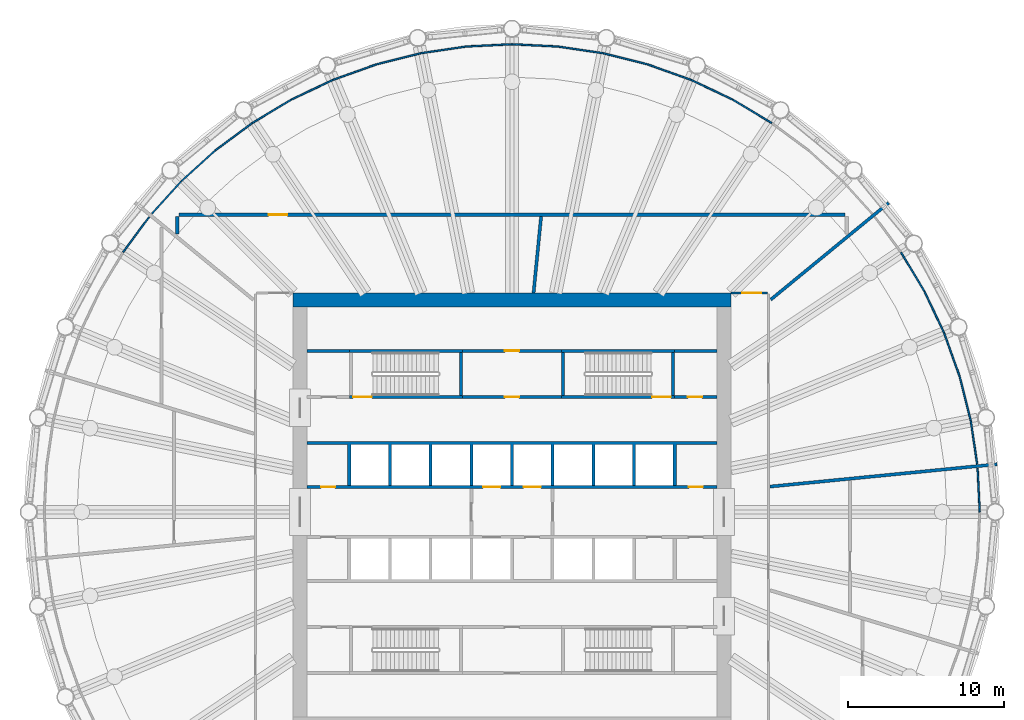
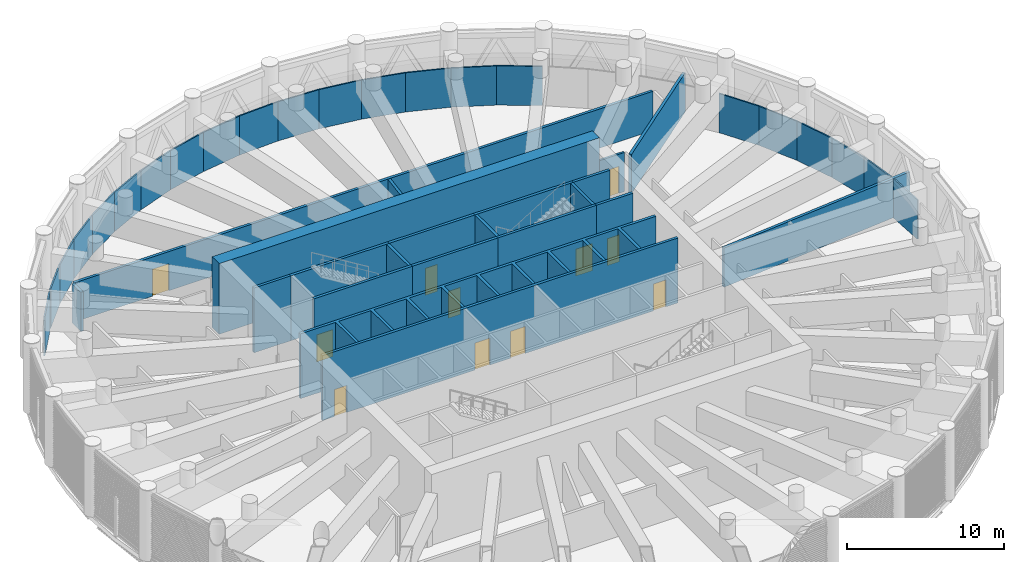
# One storey, part 10 of 23: 43 walls, 11 doors, 11 openings.
"""IFC4 building model written with IfcOpenShell, lengths in metres."""

import ifcopenshell
import ifcopenshell.guid

model = None  # the IFC model being written
_history = None  # IfcOwnerHistory: only IFC2X3 demands one
_inside = {}  # id of a spatial element -> (the spatial element, [elements in it])
_under = {}  # id of a project, library or spatial element -> (it, [spatial elements below it])
_declared = {}  # id of a project -> (the project, [libraries it declares])
_typed = {}  # id of a type object -> (the type object, [elements of that type])
_made_of = {}  # id of a material, layer set ... -> (it, [elements and type objects made of it])


def new_model(schema):
    """Start an empty IFC model of exactly this schema.

    Asked for "IFC4X3", IfcOpenShell would pick the latest addendum, in which some entities
    have other attributes; the version numbers below select the first issue.
    IFC2X3 requires an IfcOwnerHistory on every rooted entity: one is made here for all.
    """
    global model, _history
    if schema == "IFC4X3":
        model = ifcopenshell.file(schema_version=(4, 3, 0, 0))
    else:
        model = ifcopenshell.file(schema=schema)
    _inside.clear()
    _under.clear()
    _declared.clear()
    _typed.clear()
    _made_of.clear()
    _history = None
    if model.schema == "IFC2X3":
        org = make("IfcOrganization", Name="unknown")
        user = make(
            "IfcPersonAndOrganization",
            ThePerson=make("IfcPerson", FamilyName="unknown"),
            TheOrganization=org,
        )
        app = make(
            "IfcApplication",
            ApplicationDeveloper=org,
            Version="unknown",
            ApplicationFullName="unknown",
            ApplicationIdentifier="unknown",
        )
        _history = make(
            "IfcOwnerHistory",
            OwningUser=user,
            OwningApplication=app,
            ChangeAction="ADDED",
            CreationDate=0,
        )
    return model


def make(cls, **values):
    """One entity of the class cls with the attributes given. An attribute that is None is left unset."""
    return model.create_entity(
        cls, **{name: value for name, value in values.items() if value is not None}
    )


def rooted(cls, **values):
    """An entity with a GlobalId (a new one), such as an element, a storey or a relation."""
    return make(cls, GlobalId=ifcopenshell.guid.new(), OwnerHistory=_history, **values)


def si_unit(unit_type, name, prefix=None):
    """IfcSIUnit, for example si_unit("LENGTHUNIT", "METRE", prefix="MILLI")."""
    return make("IfcSIUnit", UnitType=unit_type, Prefix=prefix, Name=name)


def assignment(units):
    """IfcUnitAssignment: the units of a project."""
    return None if units is None else make("IfcUnitAssignment", Units=units)


def point(xyz):
    """IfcCartesianPoint."""
    return None if xyz is None else make("IfcCartesianPoint", Coordinates=xyz)


def direction(xyz):
    """IfcDirection."""
    return None if xyz is None else make("IfcDirection", DirectionRatios=xyz)


def frame(location, z_axis=None, x_axis=None):
    """IfcAxis2Placement3D, a coordinate frame: its origin and axes. An axis left out is left unset."""
    return make(
        "IfcAxis2Placement3D",
        Location=point(location),
        Axis=direction(z_axis),
        RefDirection=direction(x_axis),
    )


def frame_2d(location, x_axis=None):
    """IfcAxis2Placement2D, a coordinate frame in the plane: its origin and x axis."""
    return make(
        "IfcAxis2Placement2D", Location=point(location), RefDirection=direction(x_axis)
    )


def origin():
    """The frame at (0, 0, 0) with its axes left unset."""
    return frame((0.0, 0.0, 0.0))


def place(relative_to, where):
    """IfcLocalPlacement: puts the frame where relative to a parent placement (None: the world)."""
    return make(
        "IfcLocalPlacement", PlacementRelTo=relative_to, RelativePlacement=where
    )


def context(
    kind, dimensions, precision=None, world=None, true_north=None, identifier=None
):
    """IfcGeometricRepresentationContext, for example the 3D "Model" context."""
    return make(
        "IfcGeometricRepresentationContext",
        ContextIdentifier=identifier,
        ContextType=kind,
        CoordinateSpaceDimension=dimensions,
        Precision=precision,
        WorldCoordinateSystem=world,
        TrueNorth=true_north,
    )


def subcontext(parent, identifier, kind, view, scale=None):
    """IfcGeometricRepresentationSubContext, for example "Body" below "Model"."""
    return make(
        "IfcGeometricRepresentationSubContext",
        ContextIdentifier=identifier,
        ContextType=kind,
        ParentContext=parent,
        TargetScale=scale,
        TargetView=view,
    )


def project(units=None, contexts=None):
    """IfcProject with its units and contexts."""
    return rooted(
        "IfcProject",
        Name="project",
        RepresentationContexts=contexts,
        UnitsInContext=assignment(units),
    )


def spatial(cls, under=None, at=None, **own):
    """A site, building, storey or space (cls), placed at a placement, below another one or the project."""
    s = rooted(cls, ObjectPlacement=at, **own)
    if under is not None:
        _under.setdefault(under.id(), (under, []))[1].append(s)
    return s


def polyline(points):
    """IfcPolyline through the points."""
    return make("IfcPolyline", Points=[point(p) for p in points])


def profile(cls, at=None, kind="AREA", **sizes):
    """A parametric profile (cls). Its sizes go by their IFC names, for example OverallWidth=200.0."""
    return make(cls, ProfileType=kind, Position=at, **sizes)


def rectangle(**sizes):
    """IfcRectangleProfileDef."""
    return profile("IfcRectangleProfileDef", **sizes)


def outline(outer, holes=None, kind="AREA"):
    """IfcArbitraryClosedProfileDef: a profile drawn as a closed curve; with holes, ...WithVoids."""
    if holes is None:
        return make("IfcArbitraryClosedProfileDef", ProfileType=kind, OuterCurve=outer)
    return make(
        "IfcArbitraryProfileDefWithVoids",
        ProfileType=kind,
        OuterCurve=outer,
        InnerCurves=holes,
    )


def extrude(swept, where, along, depth):
    """IfcExtrudedAreaSolid: the profile swept, set in the frame where, extruded along a direction by depth."""
    return make(
        "IfcExtrudedAreaSolid",
        SweptArea=swept,
        Position=where,
        ExtrudedDirection=direction(along),
        Depth=depth,
    )


def shape(context_of_items, identifier, shape_type, items):
    """IfcShapeRepresentation: the items that make up one representation, for example the "Body"."""
    return make(
        "IfcShapeRepresentation",
        ContextOfItems=context_of_items,
        RepresentationIdentifier=identifier,
        RepresentationType=shape_type,
        Items=items,
    )


def material(Name=None, Category=None):
    """IfcMaterial."""
    return make("IfcMaterial", Name=Name, Category=Category)


def layer(
    of_material, thickness, ventilated=None, Name=None, Category=None, Priority=None
):
    """IfcMaterialLayer: one layer of a wall or slab, of a material (None: an air gap)."""
    return make(
        "IfcMaterialLayer",
        Material=of_material,
        LayerThickness=thickness,
        IsVentilated=ventilated,
        Name=Name,
        Category=Category,
        Priority=Priority,
    )


def layer_set(layers, Name=None):
    """IfcMaterialLayerSet."""
    return make("IfcMaterialLayerSet", MaterialLayers=layers, LayerSetName=Name)


def made_of(thing, what):
    """Note that an element or type object is made of a material, layer set ...; save() writes the relation."""
    if what is not None:
        _made_of.setdefault(what.id(), (what, []))[1].append(thing)
    return thing


def type_object(cls, material=None, **own):
    """A type object (cls), such as IfcWallType, which elements share."""
    return made_of(rooted(cls, **own), material)


def element(
    cls,
    number,
    at=None,
    inside=None,
    cuts=None,
    type_object=None,
    material=None,
    context=None,
    identifier="Body",
    shape_type=None,
    held_by="IfcProductDefinitionShape",
    body=None,
    shapes=None,
    **own,
):
    """One element of the class cls, such as IfcWall. Its Tag is "e" and its number.

    at: its placement. inside: the storey or other place that contains it. cuts: it is an
    opening in that element (IfcRelVoidsElement). A single representation is given by context,
    identifier, shape_type and body (its items); several are given by shapes. held_by: the class
    of the entity that holds the representations. save() writes the other relations.
    """
    e = rooted(cls, Tag="e%d" % number, ObjectPlacement=at, **own)
    if body is not None:
        shapes = [shape(context, identifier, shape_type, body)]
    if shapes is not None:
        e.Representation = make(held_by, Representations=shapes)
    if inside is not None:
        _inside.setdefault(inside.id(), (inside, []))[1].append(e)
    if cuts is not None:
        rooted(
            "IfcRelVoidsElement", RelatingBuildingElement=cuts, RelatedOpeningElement=e
        )
    if type_object is not None:
        _typed.setdefault(type_object.id(), (type_object, []))[1].append(e)
    return made_of(e, material)


def fill(opening, filler):
    """IfcRelFillsElement: the door or window that sits in an opening."""
    return rooted(
        "IfcRelFillsElement",
        RelatingOpeningElement=opening,
        RelatedBuildingElement=filler,
    )


def aggregate(whole, parts):
    """IfcRelAggregates: a whole, such as a stair, and the parts it consists of."""
    return rooted("IfcRelAggregates", RelatingObject=whole, RelatedObjects=parts)


def save(model, path):
    """Write the relations noted so far, then the file.

    IfcRelAggregates (storeys below a building ...), IfcRelContainedInSpatialStructure (elements
    in a storey), IfcRelDefinesByType, IfcRelAssociatesMaterial and IfcRelDeclares: one each for
    every whole, place, type object, material and project.
    """
    for whole, parts in _under.values():
        aggregate(whole, parts)
    for where, things in _inside.values():
        rooted(
            "IfcRelContainedInSpatialStructure",
            RelatedElements=things,
            RelatingStructure=where,
        )
    for kind, things in _typed.values():
        rooted("IfcRelDefinesByType", RelatedObjects=things, RelatingType=kind)
    for what, things in _made_of.values():
        rooted("IfcRelAssociatesMaterial", RelatedObjects=things, RelatingMaterial=what)
    for by, libraries in _declared.values():
        rooted("IfcRelDeclares", RelatingContext=by, RelatedDefinitions=libraries)
    model.write(path)


model = new_model("IFC4")

# Units and contexts
model_context = context("Model", 3, precision=1e-05, world=origin(), true_north=direction((0.0, 1.0)))
body_context = subcontext(model_context, "Body", "Model", "MODEL_VIEW")
ifc_project = project(units=[si_unit("LENGTHUNIT", "METRE"), si_unit("AREAUNIT", "SQUARE_METRE"), si_unit("VOLUMEUNIT", "CUBIC_METRE"), si_unit("PLANEANGLEUNIT", "RADIAN"), si_unit("MASSUNIT", "GRAM", prefix="KILO")], contexts=[model_context])

# Site, building, storey
site_placement = place(None, origin())
site = spatial("IfcSite", under=ifc_project, at=site_placement, CompositionType="ELEMENT")
building_placement = place(site_placement, origin())
building = spatial("IfcBuilding", under=site, at=building_placement, Name="Corvane Civic Tower", CompositionType="ELEMENT")
storey_placement = place(building_placement, frame((0.0, 0.0, 196.0)))
storey = spatial("IfcBuildingStorey", under=building, at=storey_placement, Name="L46", CompositionType="ELEMENT", Elevation=196.0)

# Wall
ifc_material_1 = material(Name="Concrete C60/75", Category="concrete")
ifc_layer_1 = layer(ifc_material_1, 0.89990234375)
ifc_layer_set_1 = layer_set([ifc_layer_1], Name="Concrete C60/75")
wall_type_1 = type_object("IfcWallType", Name="CORE WALL 900 C60/75", PredefinedType="SHEAR", material=ifc_layer_set_1)
wall_1_placement = place(storey_placement, frame((-14.0, 13.550048828125, 0.0), z_axis=(0.0, 0.0, 1.0), x_axis=(1.0, 0.0, 0.0)))
element("IfcWall", 1, at=wall_1_placement, inside=storey, type_object=wall_type_1, Name="W-L46-core-N", PredefinedType="SHEAR", context=body_context, shape_type="SweptSolid", body=[
    extrude(rectangle(XDim=28.0, YDim=0.89990234375, at=frame_2d((14.0, 0.0))), origin(), (0.0, 0.0, 1.0), 5.5),
])

# Wall, openings, doors
ifc_material_2 = material(Name="Concrete C30/37", Category="concrete")
ifc_layer_2 = layer(ifc_material_2, 0.199951171875)
ifc_layer_set_2 = layer_set([ifc_layer_2], Name="Concrete C30/37")
wall_type_2 = type_object("IfcWallType", Name="CR-WALL-200", PredefinedType="PARTITIONING", material=ifc_layer_set_2)
wall_2_placement = place(storey_placement, frame((-13.10009765625, 1.60009765625, 0.0), z_axis=(0.0, 0.0, 1.0), x_axis=(1.0, 0.0, 0.0)))
wall_2 = element("IfcWall", 2, at=wall_2_placement, inside=storey, type_object=wall_type_2, Name="L46 lift shaft wall", PredefinedType="PARTITIONING", context=body_context, shape_type="SweptSolid", body=[
    extrude(rectangle(XDim=26.2001953125, YDim=0.199951171875, at=frame_2d((13.10009765625, 0.0))), origin(), (0.0, 0.0, 1.0), 5.050048828125),
])
opening_1_placement = place(wall_2_placement, frame((11.25, 0.0, 0.0)))
opening_1 = element("IfcOpeningElement", 3, at=opening_1_placement, cuts=wall_2, Name="Opening LD", PredefinedType="OPENING", context=body_context, shape_type="SweptSolid", body=[
    extrude(rectangle(XDim=1.10009765625, YDim=2.10009765625, at=frame_2d((0.550048828125, 1.050048828125))), frame((0.0, 0.10986328125, 0.0), z_axis=(0.0, -1.0, 0.0), x_axis=(1.0, 0.0, 0.0)), (0.0, 0.0, 1.0), 0.219970703125),
])
opening_2_placement = place(wall_2_placement, frame((13.85009765625, 0.0, 0.0)))
opening_2 = element("IfcOpeningElement", 4, at=opening_2_placement, cuts=wall_2, Name="Opening LD", PredefinedType="OPENING", context=body_context, shape_type="SweptSolid", body=[
    extrude(rectangle(XDim=1.10009765625, YDim=2.10009765625, at=frame_2d((0.550048828125, 1.050048828125))), frame((0.0, 0.10986328125, 0.0), z_axis=(0.0, -1.0, 0.0), x_axis=(1.0, 0.0, 0.0)), (0.0, 0.0, 1.0), 0.219970703125),
])
opening_3_placement = place(wall_2_placement, frame((0.89990234375, 0.0, 0.0)))
opening_3 = element("IfcOpeningElement", 5, at=opening_3_placement, cuts=wall_2, Name="Opening L46.C01", PredefinedType="OPENING", context=body_context, shape_type="SweptSolid", body=[
    extrude(rectangle(XDim=0.89990234375, YDim=2.10009765625, at=frame_2d((0.449951171875, 1.050048828125))), frame((0.0, 0.10986328125, 0.0), z_axis=(0.0, -1.0, 0.0), x_axis=(1.0, 0.0, 0.0)), (0.0, 0.0, 1.0), 0.219970703125),
])
opening_4_placement = place(wall_2_placement, frame((24.39990234375, 0.0, 0.0)))
opening_4 = element("IfcOpeningElement", 6, at=opening_4_placement, cuts=wall_2, Name="Opening L46.C02", PredefinedType="OPENING", context=body_context, shape_type="SweptSolid", body=[
    extrude(rectangle(XDim=0.89990234375, YDim=2.10009765625, at=frame_2d((0.449951171875, 1.050048828125))), frame((0.0, 0.10986328125, 0.0), z_axis=(0.0, -1.0, 0.0), x_axis=(1.0, 0.0, 0.0)), (0.0, 0.0, 1.0), 0.219970703125),
])
ifc_material_3 = material(Name="Steel fire door leaf", Category="steel")
door_type_1 = type_object("IfcDoorType", Name="CR-DOOR-900", OperationType="SINGLE_SWING_LEFT", PredefinedType="DOOR", material=ifc_material_3)
door_1_placement = place(opening_3_placement, origin())
door_1 = element("IfcDoor", 7, at=door_1_placement, inside=storey, type_object=door_type_1, Name="L46 door", OperationType="SINGLE_SWING_LEFT", OverallHeight=2.10009765625, OverallWidth=0.89990234375, PredefinedType="DOOR", context=body_context, shape_type="SweptSolid", body=[
    extrude(rectangle(XDim=0.89990234375, YDim=2.10009765625, at=frame_2d((0.449951171875, 1.050048828125))), frame((0.0, 0.02490234375, 0.0), z_axis=(0.0, -1.0, 0.0), x_axis=(1.0, 0.0, 0.0)), (0.0, 0.0, 1.0), 0.050048828125),
])
fill(opening_3, door_1)
door_2_placement = place(opening_4_placement, origin())
door_2 = element("IfcDoor", 8, at=door_2_placement, inside=storey, type_object=door_type_1, Name="L46 door", OperationType="SINGLE_SWING_LEFT", OverallHeight=2.10009765625, OverallWidth=0.89990234375, PredefinedType="DOOR", context=body_context, shape_type="SweptSolid", body=[
    extrude(rectangle(XDim=0.89990234375, YDim=2.10009765625, at=frame_2d((0.449951171875, 1.050048828125))), frame((0.0, 0.02490234375, 0.0), z_axis=(0.0, -1.0, 0.0), x_axis=(1.0, 0.0, 0.0)), (0.0, 0.0, 1.0), 0.050048828125),
])
fill(opening_4, door_2)
ifc_material_4 = material(Name="Stainless steel 316 door leaves", Category="steel")
door_type_2 = type_object("IfcDoorType", Name="LD", OperationType="DOUBLE_DOOR_SLIDING", PredefinedType="DOOR", material=ifc_material_4)
door_3_placement = place(opening_1_placement, origin())
door_3 = element("IfcDoor", 9, at=door_3_placement, inside=storey, type_object=door_type_2, Name="L46 landing door", OperationType="DOUBLE_DOOR_SLIDING", OverallHeight=2.10009765625, OverallWidth=1.10009765625, PredefinedType="DOOR", context=body_context, shape_type="SweptSolid", body=[
    extrude(rectangle(XDim=1.10009765625, YDim=2.10009765625, at=frame_2d((0.550048828125, 1.050048828125))), frame((0.0, 0.02490234375, 0.0), z_axis=(0.0, -1.0, 0.0), x_axis=(1.0, 0.0, 0.0)), (0.0, 0.0, 1.0), 0.050048828125),
])
fill(opening_1, door_3)
door_4_placement = place(opening_2_placement, origin())
door_4 = element("IfcDoor", 10, at=door_4_placement, inside=storey, type_object=door_type_2, Name="L46 landing door", OperationType="DOUBLE_DOOR_SLIDING", OverallHeight=2.10009765625, OverallWidth=1.10009765625, PredefinedType="DOOR", context=body_context, shape_type="SweptSolid", body=[
    extrude(rectangle(XDim=1.10009765625, YDim=2.10009765625, at=frame_2d((0.550048828125, 1.050048828125))), frame((0.0, 0.02490234375, 0.0), z_axis=(0.0, -1.0, 0.0), x_axis=(1.0, 0.0, 0.0)), (0.0, 0.0, 1.0), 0.050048828125),
])
fill(opening_2, door_4)

# Wall, opening, door
wall_3_placement = place(storey_placement, frame((-3.14990234375, 7.35009765625, 0.0), z_axis=(0.0, 0.0, 1.0), x_axis=(1.0, 0.0, 0.0)))
wall_3 = element("IfcWall", 11, at=wall_3_placement, inside=storey, type_object=wall_type_2, Name="L46 core partition wall", PredefinedType="PARTITIONING", context=body_context, shape_type="SweptSolid", body=[
    extrude(rectangle(XDim=6.2998046875, YDim=0.199951171875, at=frame_2d((3.14990234375, 0.0))), origin(), (0.0, 0.0, 1.0), 5.050048828125),
])
opening_5_placement = place(wall_3_placement, frame((2.699951171875, 0.0, 0.0)))
opening_5 = element("IfcOpeningElement", 12, at=opening_5_placement, cuts=wall_3, Name="Opening L46.C07", PredefinedType="OPENING", context=body_context, shape_type="SweptSolid", body=[
    extrude(rectangle(XDim=0.89990234375, YDim=2.10009765625, at=frame_2d((0.449951171875, 1.050048828125))), frame((0.0, 0.10986328125, 0.0), z_axis=(0.0, -1.0, 0.0), x_axis=(1.0, 0.0, 0.0)), (0.0, 0.0, 1.0), 0.219970703125),
])
door_5_placement = place(opening_5_placement, origin())
door_5 = element("IfcDoor", 13, at=door_5_placement, inside=storey, type_object=door_type_1, Name="L46 door", OperationType="SINGLE_SWING_LEFT", OverallHeight=2.10009765625, OverallWidth=0.89990234375, PredefinedType="DOOR", context=body_context, shape_type="SweptSolid", body=[
    extrude(rectangle(XDim=0.89990234375, YDim=2.10009765625, at=frame_2d((0.449951171875, 1.050048828125))), frame((0.0, 0.02490234375, 0.0), z_axis=(0.0, -1.0, 0.0), x_axis=(1.0, 0.0, 0.0)), (0.0, 0.0, 1.0), 0.050048828125),
])
fill(opening_5, door_5)

wall_4_placement = place(storey_placement, frame((10.39990234375, 7.35009765625, 0.0), z_axis=(0.0, 0.0, 1.0), x_axis=(1.0, 0.0, 0.0)))
wall_4 = element("IfcWall", 14, at=wall_4_placement, inside=storey, type_object=wall_type_2, Name="L46 core partition wall", PredefinedType="PARTITIONING", context=body_context, shape_type="SweptSolid", body=[
    extrude(rectangle(XDim=2.7001953125, YDim=0.199951171875, at=frame_2d((1.35009765625, 0.0))), origin(), (0.0, 0.0, 1.0), 5.050048828125),
])
opening_6_placement = place(wall_4_placement, frame((0.85009765625, 0.0, 0.0)))
opening_6 = element("IfcOpeningElement", 15, at=opening_6_placement, cuts=wall_4, Name="Opening L46.C13", PredefinedType="OPENING", context=body_context, shape_type="SweptSolid", body=[
    extrude(rectangle(XDim=0.89990234375, YDim=2.10009765625, at=frame_2d((0.449951171875, 1.050048828125))), frame((0.0, 0.10986328125, 0.0), z_axis=(0.0, -1.0, 0.0), x_axis=(1.0, 0.0, 0.0)), (0.0, 0.0, 1.0), 0.219970703125),
])
door_6_placement = place(opening_6_placement, origin())
door_6 = element("IfcDoor", 16, at=door_6_placement, inside=storey, type_object=door_type_1, Name="L46 door", OperationType="SINGLE_SWING_LEFT", OverallHeight=2.10009765625, OverallWidth=0.89990234375, PredefinedType="DOOR", context=body_context, shape_type="SweptSolid", body=[
    extrude(rectangle(XDim=0.89990234375, YDim=2.10009765625, at=frame_2d((0.449951171875, 1.050048828125))), frame((0.0, 0.02490234375, 0.0), z_axis=(0.0, -1.0, 0.0), x_axis=(1.0, 0.0, 0.0)), (0.0, 0.0, 1.0), 0.050048828125),
])
fill(opening_6, door_6)

wall_5_placement = place(storey_placement, frame((-3.14990234375, 10.300048828125, 0.0), z_axis=(0.0, 0.0, 1.0), x_axis=(1.0, 0.0, 0.0)))
wall_5 = element("IfcWall", 17, at=wall_5_placement, inside=storey, type_object=wall_type_2, Name="L46 partition wall", PredefinedType="PARTITIONING", context=body_context, shape_type="SweptSolid", body=[
    extrude(rectangle(XDim=6.2998046875, YDim=0.199951171875, at=frame_2d((3.14990234375, 0.0))), origin(), (0.0, 0.0, 1.0), 5.050048828125),
])
opening_7_placement = place(wall_5_placement, frame((2.699951171875, 0.0, 0.0)))
opening_7 = element("IfcOpeningElement", 18, at=opening_7_placement, cuts=wall_5, Name="Opening L46.C09", PredefinedType="OPENING", context=body_context, shape_type="SweptSolid", body=[
    extrude(rectangle(XDim=0.89990234375, YDim=2.10009765625, at=frame_2d((0.449951171875, 1.050048828125))), frame((0.0, 0.10986328125, 0.0), z_axis=(0.0, -1.0, 0.0), x_axis=(1.0, 0.0, 0.0)), (0.0, 0.0, 1.0), 0.219970703125),
])
door_7_placement = place(opening_7_placement, origin())
door_7 = element("IfcDoor", 19, at=door_7_placement, inside=storey, type_object=door_type_1, Name="L46 door", OperationType="SINGLE_SWING_LEFT", OverallHeight=2.10009765625, OverallWidth=0.89990234375, PredefinedType="DOOR", context=body_context, shape_type="SweptSolid", body=[
    extrude(rectangle(XDim=0.89990234375, YDim=2.10009765625, at=frame_2d((0.449951171875, 1.050048828125))), frame((0.0, 0.02490234375, 0.0), z_axis=(0.0, -1.0, 0.0), x_axis=(1.0, 0.0, 0.0)), (0.0, 0.0, 1.0), 0.050048828125),
])
fill(opening_7, door_7)

# Walls
wall_6_placement = place(storey_placement, origin())
element("IfcWall", 20, at=wall_6_placement, inside=storey, type_object=wall_type_2, Name="L46 core partition wall", PredefinedType="PARTITIONING", context=body_context, shape_type="SweptSolid", body=[
    extrude(outline(polyline([(-13.10009765625, 10.199951171875), (-13.10009765625, 10.39990234375), (-10.39990234375, 10.39990234375), (-10.39990234375, 10.199951171875), (-13.10009765625, 10.199951171875)])), origin(), (0.0, 0.0, 1.0), 5.050048828125),
])
wall_7_placement = place(storey_placement, origin())
element("IfcWall", 21, at=wall_7_placement, inside=storey, type_object=wall_type_2, Name="L46 core partition wall", PredefinedType="PARTITIONING", context=body_context, shape_type="SweptSolid", body=[
    extrude(outline(polyline([(-7.699951171875, 4.300048828125), (-7.699951171875, 1.699951171875), (-7.89990234375, 1.699951171875), (-7.89990234375, 4.300048828125), (-10.300048828125, 4.300048828125), (-10.300048828125, 1.699951171875), (-10.5, 1.699951171875), (-10.5, 4.300048828125), (-13.10009765625, 4.300048828125), (-13.10009765625, 4.5), (13.10009765625, 4.5), (13.10009765625, 4.300048828125), (10.5, 4.300048828125), (10.5, 1.699951171875), (10.300048828125, 1.699951171875), (10.300048828125, 4.300048828125), (7.89990234375, 4.300048828125), (7.89990234375, 1.699951171875), (7.699951171875, 1.699951171875), (7.699951171875, 4.300048828125), (5.300048828125, 4.300048828125), (5.300048828125, 1.699951171875), (5.10009765625, 1.699951171875), (5.10009765625, 4.300048828125), (2.699951171875, 4.300048828125), (2.699951171875, 1.699951171875), (2.5, 1.699951171875), (2.5, 4.300048828125), (0.10009765625, 4.300048828125), (0.10009765625, 1.699951171875), (-0.10009765625, 1.699951171875), (-0.10009765625, 4.300048828125), (-2.5, 4.300048828125), (-2.5, 1.699951171875), (-2.699951171875, 1.699951171875), (-2.699951171875, 4.300048828125), (-5.10009765625, 4.300048828125), (-5.10009765625, 1.699951171875), (-5.300048828125, 1.699951171875), (-5.300048828125, 4.300048828125), (-7.699951171875, 4.300048828125)])), origin(), (0.0, 0.0, 1.0), 5.050048828125),
])
wall_8_placement = place(storey_placement, origin())
element("IfcWall", 22, at=wall_8_placement, inside=storey, type_object=wall_type_2, Name="L46 core partition wall", PredefinedType="PARTITIONING", context=body_context, shape_type="SweptSolid", body=[
    extrude(outline(polyline([(10.39990234375, 10.199951171875), (10.39990234375, 10.39990234375), (13.10009765625, 10.39990234375), (13.10009765625, 10.199951171875), (10.39990234375, 10.199951171875)])), origin(), (0.0, 0.0, 1.0), 5.050048828125),
])
ifc_material_5 = material(Name="Plasterboard")
ifc_layer_3 = layer(ifc_material_5, 0.10009765625)
ifc_layer_set_3 = layer_set([ifc_layer_3], Name="Plasterboard")
wall_type_3 = type_object("IfcWallType", Name="Partition 100 plasterboard on studs", PredefinedType="PARTITIONING", material=ifc_layer_set_3)
for number, where, z_axis, x_axis, name in (
    (23, (29.76171875, 2.79052734375, 0.0), (0.0, 0.0, 1.0), (0.049022353404, -0.998797681649, 0.0), "Partition L46.028"),
    (24, (29.32421875, 5.8330078125, 0.0), (0.0, 0.0, 1.0), (0.146716505228, -0.989178582003, 0.0), "Partition L46.030"),
):
    element("IfcWall", number, at=place(storey_placement, frame(where, z_axis=z_axis, x_axis=x_axis)), inside=storey, type_object=wall_type_3, Name=name, PredefinedType="PARTITIONING", context=body_context, shape_type="SweptSolid", body=[
        extrude(rectangle(XDim=2.7939453125, YDim=0.10009765625, at=frame_2d((1.39697265625, 0.0))), origin(), (0.0, 0.0, 1.0), 3.050048828125),
    ])
wall_9_placement = place(storey_placement, frame((28.611083984375, 8.67919921875, 0.0), z_axis=(0.0, 0.0, 1.0), x_axis=(0.243044616363, -0.970015110427, 0.0)))
element("IfcWall", 25, at=wall_9_placement, inside=storey, type_object=wall_type_3, Name="Partition L46.032", PredefinedType="PARTITIONING", context=body_context, shape_type="SweptSolid", body=[
    extrude(rectangle(XDim=2.93408203125, YDim=0.10009765625, at=frame_2d((1.467041015625, 0.0))), origin(), (0.0, 0.0, 1.0), 3.050048828125),
])
wall_10_placement = place(storey_placement, frame((27.622802734375, 11.441650390625, 0.0), z_axis=(0.0, 0.0, 1.0), x_axis=(0.336847676567, -0.941559155227, 0.0)))
element("IfcWall", 26, at=wall_10_placement, inside=storey, type_object=wall_type_3, Name="Partition L46.034", PredefinedType="PARTITIONING", context=body_context, shape_type="SweptSolid", body=[
    extrude(rectangle(XDim=2.933837890625, YDim=0.10009765625, at=frame_2d((1.466796875, 0.0))), origin(), (0.0, 0.0, 1.0), 3.050048828125),
])
wall_11_placement = place(storey_placement, frame((26.368408203125, 14.09423828125, 0.0), z_axis=(0.0, 0.0, 1.0), x_axis=(0.42750326142, -0.90401380602, 0.0)))
element("IfcWall", 27, at=wall_11_placement, inside=storey, type_object=wall_type_3, Name="Partition L46.036", PredefinedType="PARTITIONING", context=body_context, shape_type="SweptSolid", body=[
    extrude(rectangle(XDim=2.934326171875, YDim=0.10009765625, at=frame_2d((1.46728515625, 0.0))), origin(), (0.0, 0.0, 1.0), 3.050048828125),
])
for number, where, z_axis, x_axis, name in (
    (28, (24.85986328125, 16.61083984375, 0.0), (0.0, 0.0, 1.0), (0.514140854676, -0.857705766305, 0.0), "Partition L46.038"),
    (29, (14.09423828125, 26.368408203125, 0.0), (0.0, 0.0, 1.0), (0.857705766305, -0.514140854676, 0.0), "Partition L46.048"),
):
    element("IfcWall", number, at=place(storey_placement, frame(where, z_axis=z_axis, x_axis=x_axis)), inside=storey, type_object=wall_type_3, Name=name, PredefinedType="PARTITIONING", context=body_context, shape_type="SweptSolid", body=[
        extrude(rectangle(XDim=2.93408203125, YDim=0.10009765625, at=frame_2d((1.467041015625, 0.0))), origin(), (0.0, 0.0, 1.0), 3.050048828125),
    ])
wall_12_placement = place(storey_placement, frame((11.441650390625, 27.622802734375, 0.0), z_axis=(0.0, 0.0, 1.0), x_axis=(0.90401380602, -0.42750326142, 0.0)))
element("IfcWall", 30, at=wall_12_placement, inside=storey, type_object=wall_type_3, Name="Partition L46.050", PredefinedType="PARTITIONING", context=body_context, shape_type="SweptSolid", body=[
    extrude(rectangle(XDim=2.934326171875, YDim=0.10009765625, at=frame_2d((1.46728515625, 0.0))), origin(), (0.0, 0.0, 1.0), 3.050048828125),
])
wall_13_placement = place(storey_placement, frame((8.67919921875, 28.611083984375, 0.0), z_axis=(0.0, 0.0, 1.0), x_axis=(0.941559155227, -0.336847676567, 0.0)))
element("IfcWall", 31, at=wall_13_placement, inside=storey, type_object=wall_type_3, Name="Partition L46.052", PredefinedType="PARTITIONING", context=body_context, shape_type="SweptSolid", body=[
    extrude(rectangle(XDim=2.933837890625, YDim=0.10009765625, at=frame_2d((1.466796875, 0.0))), origin(), (0.0, 0.0, 1.0), 3.050048828125),
])
for number, where, z_axis, x_axis, name in (
    (32, (5.8330078125, 29.32421875, 0.0), (0.0, 0.0, 1.0), (0.970015110427, -0.243044616363, 0.0), "Partition L46.054"),
    (33, (2.9306640625, 29.7548828125, 0.0), (0.0, 0.0, 1.0), (0.989169482721, -0.146777840471, 0.0), "Partition L46.056"),
    (34, (0.0, 29.898681640625, 0.0), (0.0, 0.0, 1.0), (0.998798385144, -0.049008018065, 0.0), "Partition L46.058"),
    (35, (-2.9306640625, 29.7548828125, 0.0), (0.0, 0.0, 1.0), (0.998798385144, 0.049008018065, 0.0), "Partition L46.060"),
    (36, (-5.8330078125, 29.32421875, 0.0), (0.0, 0.0, 1.0), (0.989169482721, 0.146777840471, 0.0), "Partition L46.062"),
    (37, (-8.67919921875, 28.611083984375, 0.0), (0.0, 0.0, 1.0), (0.970015110427, 0.243044616363, 0.0), "Partition L46.064"),
):
    element("IfcWall", number, at=place(storey_placement, frame(where, z_axis=z_axis, x_axis=x_axis)), inside=storey, type_object=wall_type_3, Name=name, PredefinedType="PARTITIONING", context=body_context, shape_type="SweptSolid", body=[
        extrude(rectangle(XDim=2.93408203125, YDim=0.10009765625, at=frame_2d((1.467041015625, 0.0))), origin(), (0.0, 0.0, 1.0), 3.050048828125),
    ])
wall_14_placement = place(storey_placement, frame((-11.441650390625, 27.622802734375, 0.0), z_axis=(0.0, 0.0, 1.0), x_axis=(0.941559155227, 0.336847676567, 0.0)))
element("IfcWall", 38, at=wall_14_placement, inside=storey, type_object=wall_type_3, Name="Partition L46.066", PredefinedType="PARTITIONING", context=body_context, shape_type="SweptSolid", body=[
    extrude(rectangle(XDim=2.933837890625, YDim=0.10009765625, at=frame_2d((1.466796875, 0.0))), origin(), (0.0, 0.0, 1.0), 3.050048828125),
])
wall_15_placement = place(storey_placement, frame((-14.09423828125, 26.368408203125, 0.0), z_axis=(0.0, 0.0, 1.0), x_axis=(0.90401380602, 0.42750326142, 0.0)))
element("IfcWall", 39, at=wall_15_placement, inside=storey, type_object=wall_type_3, Name="Partition L46.068", PredefinedType="PARTITIONING", context=body_context, shape_type="SweptSolid", body=[
    extrude(rectangle(XDim=2.934326171875, YDim=0.10009765625, at=frame_2d((1.46728515625, 0.0))), origin(), (0.0, 0.0, 1.0), 3.050048828125),
])
wall_16_placement = place(storey_placement, frame((-16.61083984375, 24.85986328125, 0.0), z_axis=(0.0, 0.0, 1.0), x_axis=(0.857705766305, 0.514140854676, 0.0)))
element("IfcWall", 40, at=wall_16_placement, inside=storey, type_object=wall_type_3, Name="Partition L46.070", PredefinedType="PARTITIONING", context=body_context, shape_type="SweptSolid", body=[
    extrude(rectangle(XDim=2.93408203125, YDim=0.10009765625, at=frame_2d((1.467041015625, 0.0))), origin(), (0.0, 0.0, 1.0), 3.050048828125),
])
wall_17_placement = place(storey_placement, frame((-18.967529296875, 23.11181640625, 0.0), z_axis=(0.0, 0.0, 1.0), x_axis=(0.803173799332, 0.595744784338, 0.0)))
element("IfcWall", 41, at=wall_17_placement, inside=storey, type_object=wall_type_3, Name="Partition L46.072", PredefinedType="PARTITIONING", context=body_context, shape_type="SweptSolid", body=[
    extrude(rectangle(XDim=2.934326171875, YDim=0.10009765625, at=frame_2d((1.46728515625, 0.0))), origin(), (0.0, 0.0, 1.0), 3.050048828125),
])
wall_18_placement = place(storey_placement, frame((-21.1416015625, 21.1416015625, 0.0), z_axis=(0.0, 0.0, 1.0), x_axis=(0.740993420885, 0.671512285968, 0.0)))
element("IfcWall", 42, at=wall_18_placement, inside=storey, type_object=wall_type_3, Name="Partition L46.074", PredefinedType="PARTITIONING", context=body_context, shape_type="SweptSolid", body=[
    extrude(rectangle(XDim=2.93408203125, YDim=0.10009765625, at=frame_2d((1.467041015625, 0.0))), origin(), (0.0, 0.0, 1.0), 3.050048828125),
])
for number, where, z_axis, x_axis, name in (
    (43, (-23.017822265625, 19.0712890625, 0.0), (0.0, 0.0, 1.0), (0.671519424739, 0.740986951436, 0.0), "Partition L46.076"),
    (44, (-24.85986328125, 16.61083984375, 0.0), (0.0, 0.0, 1.0), (0.595685108219, 0.80321805996, 0.0), "Partition L46.078"),
):
    element("IfcWall", number, at=place(storey_placement, frame(where, z_axis=z_axis, x_axis=x_axis)), inside=storey, type_object=wall_type_3, Name=name, PredefinedType="PARTITIONING", context=body_context, shape_type="SweptSolid", body=[
        extrude(rectangle(XDim=2.7939453125, YDim=0.10009765625, at=frame_2d((1.39697265625, 0.0))), origin(), (0.0, 0.0, 1.0), 3.050048828125),
    ])
ifc_material_6 = material(Name="Gypsum fibreboard")
ifc_layer_4 = layer(ifc_material_6, 0.199951171875)
ifc_layer_set_4 = layer_set([ifc_layer_4], Name="Gypsum fibreboard")
wall_type_4 = type_object("IfcWallType", Name="Plant and refuge wall 200 EI 120", PredefinedType="PARTITIONING", material=ifc_layer_set_4)
wall_19_placement = place(storey_placement, frame((16.48486328125, 1.62353515625, 0.0), z_axis=(0.0, 0.0, 1.0), x_axis=(0.995184410544, 0.098020349981, 0.0)))
element("IfcWall", 45, at=wall_19_placement, inside=storey, type_object=wall_type_4, Name="Partition L46.016", PredefinedType="PARTITIONING", context=body_context, shape_type="SweptSolid", body=[
    extrude(rectangle(XDim=14.585693359375, YDim=0.199951171875, at=frame_2d((7.29296875, 0.0))), origin(), (0.0, 0.0, 1.0), 3.050048828125),
])
wall_20_placement = place(storey_placement, frame((16.538330078125, 13.57275390625, 0.0), z_axis=(0.0, 0.0, 1.0), x_axis=(0.773012005749, 0.634391392571, 0.0)))
element("IfcWall", 46, at=wall_20_placement, inside=storey, type_object=wall_type_4, Name="Partition L46.020", PredefinedType="PARTITIONING", context=body_context, shape_type="SweptSolid", body=[
    extrude(rectangle(XDim=9.75537109375, YDim=0.199951171875, at=frame_2d((4.877685546875, 0.0))), origin(), (0.0, 0.0, 1.0), 3.050048828125),
])
wall_21_placement = place(storey_placement, frame((1.37890625, 14.0, 0.0), z_axis=(0.0, 0.0, 1.0), x_axis=(0.098027827699, 0.995183674, 0.0)))
element("IfcWall", 47, at=wall_21_placement, inside=storey, type_object=wall_type_4, Name="Partition L46.022", PredefinedType="PARTITIONING", context=body_context, shape_type="SweptSolid", body=[
    extrude(rectangle(XDim=4.913818359375, YDim=0.199951171875, at=frame_2d((2.45703125, 0.0))), origin(), (0.0, 0.0, 1.0), 3.050048828125),
])
wall_22_placement = place(storey_placement, frame((-21.39990234375, 17.77392578125, 0.0), z_axis=(0.0, 0.0, 1.0), x_axis=(0.0, 1.0, 0.0)))
element("IfcWall", 48, at=wall_22_placement, inside=storey, type_object=wall_type_4, Name="Partition L46.024", PredefinedType="PARTITIONING", context=body_context, shape_type="SweptSolid", body=[
    extrude(rectangle(XDim=1.1259765625, YDim=0.199951171875, at=frame_2d((0.56298828125, 0.0))), origin(), (0.0, 0.0, 1.0), 3.050048828125),
])

# Wall, opening, door
wall_23_placement = place(storey_placement, frame((-21.300048828125, 19.0, 0.0), z_axis=(0.0, 0.0, 1.0), x_axis=(1.0, 0.0, 0.0)))
wall_23 = element("IfcWall", 49, at=wall_23_placement, inside=storey, type_object=wall_type_4, Name="Partition L46.026", PredefinedType="PARTITIONING", context=body_context, shape_type="SweptSolid", body=[
    extrude(rectangle(XDim=42.60009765625, YDim=0.199951171875, at=frame_2d((21.300048828125, 0.0))), origin(), (0.0, 0.0, 1.0), 3.050048828125),
])
opening_8_placement = place(wall_23_placement, frame((5.739501953125, 0.0, 0.0)))
opening_8 = element("IfcOpeningElement", 50, at=opening_8_placement, cuts=wall_23, Name="Opening L46.001", PredefinedType="OPENING", context=body_context, shape_type="SweptSolid", body=[
    extrude(rectangle(XDim=1.199951171875, YDim=2.10009765625, at=frame_2d((0.60009765625, 1.050048828125))), frame((0.0, 0.10986328125, 0.0), z_axis=(0.0, -1.0, 0.0), x_axis=(1.0, 0.0, 0.0)), (0.0, 0.0, 1.0), 0.219970703125),
])
ifc_material_7 = material(Name="Steel and timber", Category="steel")
door_type_3 = type_object("IfcDoorType", Name="Fire door FD60 1200", OperationType="NOTDEFINED", PredefinedType="DOOR", material=ifc_material_7)
door_8_placement = place(opening_8_placement, origin())
door_8 = element("IfcDoor", 51, at=door_8_placement, inside=storey, type_object=door_type_3, Name="Door L46.001", OperationType="SINGLE_SWING_LEFT", OverallHeight=2.10009765625, OverallWidth=1.199951171875, PredefinedType="DOOR", context=body_context, shape_type="SweptSolid", body=[
    extrude(rectangle(XDim=1.199951171875, YDim=2.10009765625, at=frame_2d((0.60009765625, 1.050048828125))), frame((0.0, 0.02490234375, 0.0), z_axis=(0.0, -1.0, 0.0), x_axis=(1.0, 0.0, 0.0)), (0.0, 0.0, 1.0), 0.050048828125),
])
fill(opening_8, door_8)

ifc_material_8 = material(Name="Concrete C50/60", Category="concrete")
ifc_layer_5 = layer(ifc_material_8, 0.199951171875)
ifc_layer_set_5 = layer_set([ifc_layer_5], Name="Concrete C50/60")
wall_type_5 = type_object("IfcWallType", Name="ST-WALL-200", PredefinedType="SHEAR", material=ifc_layer_set_5)
wall_24_placement = place(storey_placement, frame((-10.39990234375, 7.35009765625, 0.0), z_axis=(0.0, 0.0, 1.0), x_axis=(1.0, 0.0, 0.0)))
wall_24 = element("IfcWall", 52, at=wall_24_placement, inside=storey, type_object=wall_type_5, Name="L46 stair enclosure wall", PredefinedType="SHEAR", context=body_context, shape_type="SweptSolid", body=[
    extrude(rectangle(XDim=7.25, YDim=0.199951171875, at=frame_2d((3.625, 0.0))), origin(), (0.0, 0.0, 1.0), 5.050048828125),
])
opening_9_placement = place(wall_24_placement, frame((0.25, 0.0, 0.0)))
opening_9 = element("IfcOpeningElement", 53, at=opening_9_placement, cuts=wall_24, Name="Opening L46.C16", PredefinedType="OPENING", context=body_context, shape_type="SweptSolid", body=[
    extrude(rectangle(XDim=1.199951171875, YDim=2.10009765625, at=frame_2d((0.60009765625, 1.050048828125))), frame((0.0, 0.10986328125, 0.0), z_axis=(0.0, -1.0, 0.0), x_axis=(1.0, 0.0, 0.0)), (0.0, 0.0, 1.0), 0.219970703125),
])
ifc_material_9 = material(Name="Steel fire door leaf", Category="steel")
door_type_4 = type_object("IfcDoorType", Name="ST-DOOR-1200", OperationType="SINGLE_SWING_RIGHT", PredefinedType="DOOR", material=ifc_material_9)
door_9_placement = place(opening_9_placement, origin())
door_9 = element("IfcDoor", 54, at=door_9_placement, inside=storey, type_object=door_type_4, Name="L46 stair door", OperationType="SINGLE_SWING_RIGHT", OverallHeight=2.10009765625, OverallWidth=1.199951171875, PredefinedType="DOOR", context=body_context, shape_type="SweptSolid", body=[
    extrude(rectangle(XDim=1.199951171875, YDim=2.10009765625, at=frame_2d((0.60009765625, 1.050048828125))), frame((0.0, 0.02490234375, 0.0), z_axis=(0.0, -1.0, 0.0), x_axis=(1.0, 0.0, 0.0)), (0.0, 0.0, 1.0), 0.050048828125),
])
fill(opening_9, door_9)

wall_25_placement = place(storey_placement, frame((3.14990234375, 7.35009765625, 0.0), z_axis=(0.0, 0.0, 1.0), x_axis=(1.0, 0.0, 0.0)))
wall_25 = element("IfcWall", 55, at=wall_25_placement, inside=storey, type_object=wall_type_5, Name="L46 stair enclosure wall", PredefinedType="SHEAR", context=body_context, shape_type="SweptSolid", body=[
    extrude(rectangle(XDim=7.25, YDim=0.199951171875, at=frame_2d((3.625, 0.0))), origin(), (0.0, 0.0, 1.0), 5.050048828125),
])
opening_10_placement = place(wall_25_placement, frame((5.800048828125, 0.0, 0.0)))
opening_10 = element("IfcOpeningElement", 56, at=opening_10_placement, cuts=wall_25, Name="Opening L46.C15", PredefinedType="OPENING", context=body_context, shape_type="SweptSolid", body=[
    extrude(rectangle(XDim=1.199951171875, YDim=2.10009765625, at=frame_2d((0.60009765625, 1.050048828125))), frame((0.0, 0.10986328125, 0.0), z_axis=(0.0, -1.0, 0.0), x_axis=(1.0, 0.0, 0.0)), (0.0, 0.0, 1.0), 0.219970703125),
])
door_10_placement = place(opening_10_placement, origin())
door_10 = element("IfcDoor", 57, at=door_10_placement, inside=storey, type_object=door_type_4, Name="L46 stair door", OperationType="SINGLE_SWING_RIGHT", OverallHeight=2.10009765625, OverallWidth=1.199951171875, PredefinedType="DOOR", context=body_context, shape_type="SweptSolid", body=[
    extrude(rectangle(XDim=1.199951171875, YDim=2.10009765625, at=frame_2d((0.60009765625, 1.050048828125))), frame((0.0, 0.02490234375, 0.0), z_axis=(0.0, -1.0, 0.0), x_axis=(1.0, 0.0, 0.0)), (0.0, 0.0, 1.0), 0.050048828125),
])
fill(opening_10, door_10)

# Walls
wall_26_placement = place(storey_placement, origin())
element("IfcWall", 58, at=wall_26_placement, inside=storey, type_object=wall_type_5, Name="L46 stair enclosure wall", PredefinedType="SHEAR", context=body_context, shape_type="SweptSolid", body=[
    extrude(outline(polyline([(-3.14990234375, 10.199951171875), (-10.39990234375, 10.199951171875), (-10.39990234375, 10.39990234375), (-3.14990234375, 10.39990234375), (-3.14990234375, 10.199951171875)])), origin(), (0.0, 0.0, 1.0), 5.050048828125),
])
wall_27_placement = place(storey_placement, origin())
element("IfcWall", 59, at=wall_27_placement, inside=storey, type_object=wall_type_5, Name="L46 stair enclosure wall", PredefinedType="SHEAR", context=body_context, shape_type="SweptSolid", body=[
    extrude(outline(polyline([(10.39990234375, 10.199951171875), (3.14990234375, 10.199951171875), (3.14990234375, 10.39990234375), (10.39990234375, 10.39990234375), (10.39990234375, 10.199951171875)])), origin(), (0.0, 0.0, 1.0), 5.050048828125),
])
wall_28_placement = place(storey_placement, origin())
element("IfcWall", 60, at=wall_28_placement, inside=storey, type_object=wall_type_5, Name="L46 stair enclosure wall", PredefinedType="SHEAR", context=body_context, shape_type="SweptSolid", body=[
    extrude(outline(polyline([(-3.14990234375, 7.449951171875), (-3.35009765625, 7.449951171875), (-3.35009765625, 10.199951171875), (-3.14990234375, 10.199951171875), (-3.14990234375, 7.449951171875)])), origin(), (0.0, 0.0, 1.0), 5.050048828125),
])
wall_29_placement = place(storey_placement, origin())
element("IfcWall", 61, at=wall_29_placement, inside=storey, type_object=wall_type_5, Name="L46 stair enclosure wall", PredefinedType="SHEAR", context=body_context, shape_type="SweptSolid", body=[
    extrude(outline(polyline([(3.35009765625, 7.449951171875), (3.14990234375, 7.449951171875), (3.14990234375, 10.199951171875), (3.35009765625, 10.199951171875), (3.35009765625, 7.449951171875)])), origin(), (0.0, 0.0, 1.0), 5.050048828125),
])
wall_30_placement = place(storey_placement, origin())
element("IfcWall", 62, at=wall_30_placement, inside=storey, type_object=wall_type_5, Name="L46 stair enclosure wall", PredefinedType="SHEAR", context=body_context, shape_type="SweptSolid", body=[
    extrude(outline(polyline([(10.39990234375, 7.449951171875), (10.199951171875, 7.449951171875), (10.199951171875, 10.199951171875), (10.39990234375, 10.199951171875), (10.39990234375, 7.449951171875)])), origin(), (0.0, 0.0, 1.0), 5.050048828125),
])

# Wall, opening, door
ifc_material_10 = material(Name="Plasterboard")
ifc_layer_6 = layer(ifc_material_10, 0.14990234375)
ifc_layer_set_6 = layer_set([ifc_layer_6], Name="Plasterboard")
wall_type_6 = type_object("IfcWallType", Name="Tenancy wall 150 EI 60", PredefinedType="PARTITIONING", material=ifc_layer_set_6)
wall_31_placement = place(storey_placement, frame((13.989990234375, 14.0, 0.0), z_axis=(0.0, 0.0, 1.0), x_axis=(1.0, 0.0, 0.0)))
wall_31 = element("IfcWall", 63, at=wall_31_placement, inside=storey, type_object=wall_type_6, Name="Partition L46.023", PredefinedType="PARTITIONING", context=body_context, shape_type="SweptSolid", body=[
    extrude(rectangle(XDim=2.3349609375, YDim=0.14990234375, at=frame_2d((1.16748046875, 0.0))), origin(), (0.0, 0.0, 1.0), 3.050048828125),
])
opening_11_placement = place(wall_31_placement, frame((0.739501953125, 0.0, 0.0)))
opening_11 = element("IfcOpeningElement", 64, at=opening_11_placement, cuts=wall_31, Name="Opening L46.003", PredefinedType="OPENING", context=body_context, shape_type="SweptSolid", body=[
    extrude(rectangle(XDim=1.199951171875, YDim=2.10009765625, at=frame_2d((0.60009765625, 1.050048828125))), frame((0.0, 0.0849609375, 0.0), z_axis=(0.0, -1.0, 0.0), x_axis=(1.0, 0.0, 0.0)), (0.0, 0.0, 1.0), 0.169921875),
])
door_11_placement = place(opening_11_placement, origin())
door_11 = element("IfcDoor", 65, at=door_11_placement, inside=storey, type_object=door_type_3, Name="Door L46.003", OperationType="SINGLE_SWING_LEFT", OverallHeight=2.10009765625, OverallWidth=1.199951171875, PredefinedType="DOOR", context=body_context, shape_type="SweptSolid", body=[
    extrude(rectangle(XDim=1.199951171875, YDim=2.10009765625, at=frame_2d((0.60009765625, 1.050048828125))), frame((0.0, 0.02490234375, 0.0), z_axis=(0.0, -1.0, 0.0), x_axis=(1.0, 0.0, 0.0)), (0.0, 0.0, 1.0), 0.050048828125),
])
fill(opening_11, door_11)

save(model, "model.ifc")
